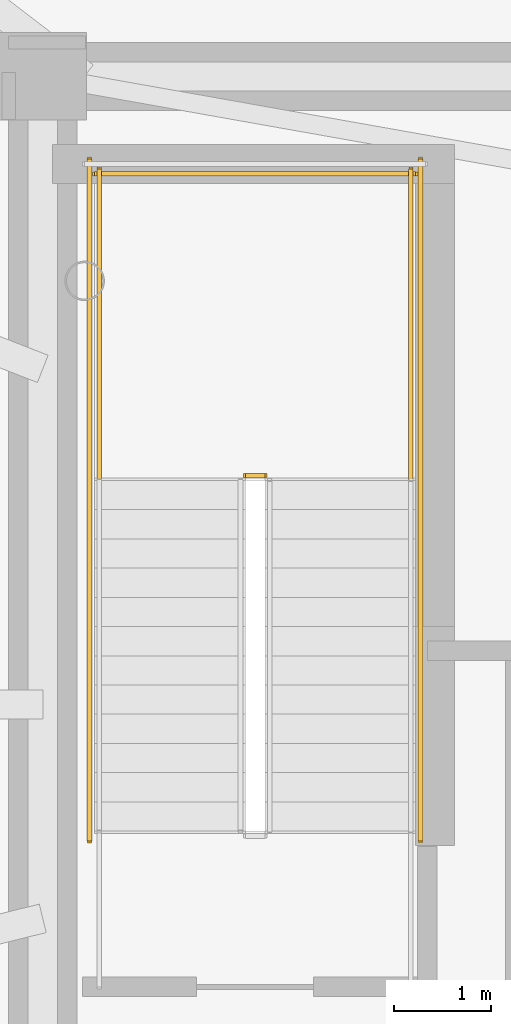
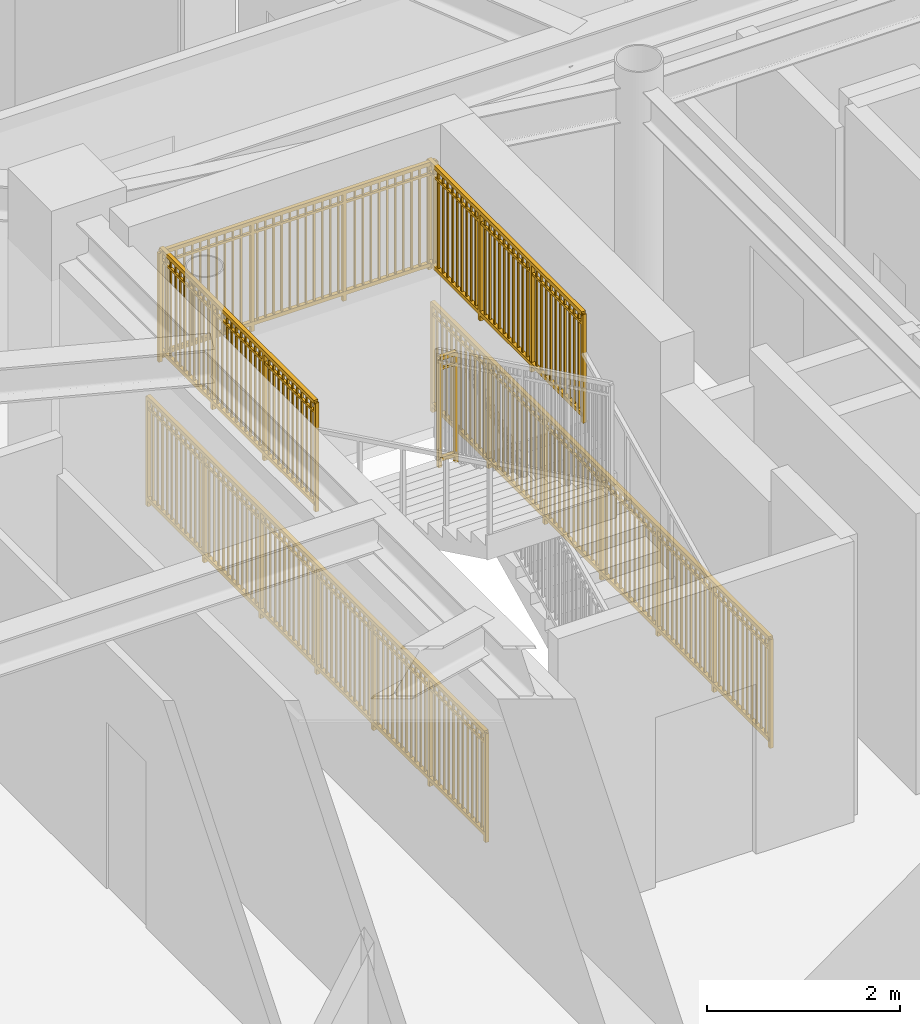
# One storey, part 15 of 17: 6 railings.
"""IFC4 building model written with IfcOpenShell, lengths in metres."""

from ifc_helpers import new_model, si_unit, direction, frame, origin, origin_2d, place, context, subcontext, project, spatial, rectangle, extrude, source, transform, mapped, material, type_object, element, save


model = new_model("IFC4")

# Units and contexts
model_context = context("Model", 3, precision=1e-05, world=origin(), true_north=direction((0.0, 1.0)))
body_context = subcontext(model_context, "Body", "Model", "MODEL_VIEW")
ifc_project = project(units=[si_unit("LENGTHUNIT", "METRE"), si_unit("AREAUNIT", "SQUARE_METRE"), si_unit("VOLUMEUNIT", "CUBIC_METRE"), si_unit("PLANEANGLEUNIT", "RADIAN"), si_unit("MASSUNIT", "GRAM", prefix="KILO")], contexts=[model_context])

# Site, building, storey
site_placement = place(None, origin())
site = spatial("IfcSite", under=ifc_project, at=site_placement, CompositionType="ELEMENT")
building_placement = place(site_placement, origin())
building = spatial("IfcBuilding", under=site, at=building_placement, Name="Linh Dai School and Residence Tower", CompositionType="ELEMENT")
storey_placement = place(building_placement, frame((0.0, 0.0, 327.800048828125)))
storey = spatial("IfcBuildingStorey", under=building, at=storey_placement, Name="L81", CompositionType="ELEMENT", Elevation=327.800048828125)

# Railings
ifc_material = material(Name="Structural Steel S355JR", Category="steel")
railing_type = type_object("IfcRailingType", Name="RL-ST-GUARD-1400", PredefinedType="GUARDRAIL", material=ifc_material)
shared_shape_1 = source(origin(), body_context, "Body", "SweptSolid", [
    extrude(rectangle(XDim=0.048095703125, YDim=0.048095703125, at=origin_2d()), frame((0.0, 0.0, 1.3759765625), z_axis=(-1.0, 0.0, 0.0), x_axis=(0.0, -1.0, 0.0)), (0.0, 0.0, 1.0), 0.199951171875),
    extrude(rectangle(XDim=0.048095703125, YDim=0.048095703125, at=origin_2d()), frame((0.0, 0.0, 0.10009765625), z_axis=(-1.0, 0.0, 0.0), x_axis=(0.0, -1.0, 0.0)), (0.0, 0.0, 1.0), 0.199951171875),
    extrude(rectangle(XDim=0.030029296875, YDim=0.030029296875, at=origin_2d()), frame((0.0, 0.0, 1.239990234375), z_axis=(-1.0, 0.0, 0.0), x_axis=(0.0, -1.0, 0.0)), (0.0, 0.0, 1.0), 0.199951171875),
    extrude(rectangle(XDim=0.0419921875, YDim=0.0419921875, at=origin_2d()), origin(), (0.0, 0.0, 1.0), 1.3759765625),
    extrude(rectangle(XDim=0.0419921875, YDim=0.0419921875, at=origin_2d()), frame((-0.199951171875, 0.0, 0.0)), (0.0, 0.0, 1.0), 1.3759765625),
])
railing_1_placement = place(storey_placement, frame((29.429931640625, 29.35009765625, 1.89990234375)))
element("IfcRailing", 1, at=railing_1_placement, inside=storey, type_object=railing_type, Name="L81 ST1 stair guard 2", PredefinedType="GUARDRAIL", context=body_context, shape_type="MappedRepresentation", body=[
    mapped(shared_shape_1, transform((0.0, 0.0, 0.0), x_axis=(1.0, 0.0, 0.0), y_axis=(0.0, 1.0, 0.0), z_axis=(0.0, 0.0, 1.0), scale=1.0)),
])
shared_shape_2 = source(origin(), body_context, "Body", "SweptSolid", [
    extrude(rectangle(XDim=0.048095703125, YDim=0.048095703125, at=origin_2d()), frame((0.0, 0.0, 1.3759765625), z_axis=(-1.0, 0.0, 0.0), x_axis=(0.0, -1.0, 0.0)), (0.0, 0.0, 1.0), 3.300048828125),
    extrude(rectangle(XDim=0.048095703125, YDim=0.048095703125, at=origin_2d()), frame((0.0, 0.0, 0.10009765625), z_axis=(-1.0, 0.0, 0.0), x_axis=(0.0, -1.0, 0.0)), (0.0, 0.0, 1.0), 3.300048828125),
    extrude(rectangle(XDim=0.030029296875, YDim=0.030029296875, at=origin_2d()), frame((0.0, 0.0, 1.239990234375), z_axis=(-1.0, 0.0, 0.0), x_axis=(0.0, -1.0, 0.0)), (0.0, 0.0, 1.0), 3.300048828125),
    extrude(rectangle(XDim=0.02001953125, YDim=0.02001953125, at=origin_2d()), frame((-0.09716796875, 0.0, 0.10009765625)), (0.0, 0.0, 1.0), 1.251708984375),
    extrude(rectangle(XDim=0.02001953125, YDim=0.02001953125, at=origin_2d()), frame((-0.194091796875, 0.0, 0.10009765625)), (0.0, 0.0, 1.0), 1.251708984375),
    extrude(rectangle(XDim=0.02001953125, YDim=0.02001953125, at=origin_2d()), frame((-0.291259765625, 0.0, 0.10009765625)), (0.0, 0.0, 1.0), 1.251708984375),
    extrude(rectangle(XDim=0.02001953125, YDim=0.02001953125, at=origin_2d()), frame((-0.38818359375, 0.0, 0.10009765625)), (0.0, 0.0, 1.0), 1.251708984375),
    extrude(rectangle(XDim=0.02001953125, YDim=0.02001953125, at=origin_2d()), frame((-0.4853515625, 0.0, 0.10009765625)), (0.0, 0.0, 1.0), 1.251708984375),
    extrude(rectangle(XDim=0.02001953125, YDim=0.02001953125, at=origin_2d()), frame((-0.582275390625, 0.0, 0.10009765625)), (0.0, 0.0, 1.0), 1.251708984375),
    extrude(rectangle(XDim=0.02001953125, YDim=0.02001953125, at=origin_2d()), frame((-0.679443359375, 0.0, 0.10009765625)), (0.0, 0.0, 1.0), 1.251708984375),
    extrude(rectangle(XDim=0.02001953125, YDim=0.02001953125, at=origin_2d()), frame((-0.7763671875, 0.0, 0.10009765625)), (0.0, 0.0, 1.0), 1.251708984375),
    extrude(rectangle(XDim=0.02001953125, YDim=0.02001953125, at=origin_2d()), frame((-0.87353515625, 0.0, 0.10009765625)), (0.0, 0.0, 1.0), 1.251708984375),
    extrude(rectangle(XDim=0.02001953125, YDim=0.02001953125, at=origin_2d()), frame((-0.970703125, 0.0, 0.10009765625)), (0.0, 0.0, 1.0), 1.251708984375),
    extrude(rectangle(XDim=0.02001953125, YDim=0.02001953125, at=origin_2d()), frame((-1.164794921875, 0.0, 0.10009765625)), (0.0, 0.0, 1.0), 1.251708984375),
    extrude(rectangle(XDim=0.02001953125, YDim=0.02001953125, at=origin_2d()), frame((-1.26171875, 0.0, 0.10009765625)), (0.0, 0.0, 1.0), 1.251708984375),
    extrude(rectangle(XDim=0.02001953125, YDim=0.02001953125, at=origin_2d()), frame((-1.35888671875, 0.0, 0.10009765625)), (0.0, 0.0, 1.0), 1.251708984375),
    extrude(rectangle(XDim=0.02001953125, YDim=0.02001953125, at=origin_2d()), frame((-1.455810546875, 0.0, 0.10009765625)), (0.0, 0.0, 1.0), 1.251708984375),
    extrude(rectangle(XDim=0.02001953125, YDim=0.02001953125, at=origin_2d()), frame((-1.552978515625, 0.0, 0.10009765625)), (0.0, 0.0, 1.0), 1.251708984375),
    extrude(rectangle(XDim=0.02001953125, YDim=0.02001953125, at=origin_2d()), frame((-1.64990234375, 0.0, 0.10009765625)), (0.0, 0.0, 1.0), 1.251708984375),
    extrude(rectangle(XDim=0.02001953125, YDim=0.02001953125, at=origin_2d()), frame((-1.7470703125, 0.0, 0.10009765625)), (0.0, 0.0, 1.0), 1.251708984375),
    extrude(rectangle(XDim=0.02001953125, YDim=0.02001953125, at=origin_2d()), frame((-1.84423828125, 0.0, 0.10009765625)), (0.0, 0.0, 1.0), 1.251708984375),
    extrude(rectangle(XDim=0.02001953125, YDim=0.02001953125, at=origin_2d()), frame((-1.941162109375, 0.0, 0.10009765625)), (0.0, 0.0, 1.0), 1.251708984375),
    extrude(rectangle(XDim=0.02001953125, YDim=0.02001953125, at=origin_2d()), frame((-2.038330078125, 0.0, 0.10009765625)), (0.0, 0.0, 1.0), 1.251708984375),
    extrude(rectangle(XDim=0.02001953125, YDim=0.02001953125, at=origin_2d()), frame((-2.13525390625, 0.0, 0.10009765625)), (0.0, 0.0, 1.0), 1.251708984375),
    extrude(rectangle(XDim=0.02001953125, YDim=0.02001953125, at=origin_2d()), frame((-2.329345703125, 0.0, 0.10009765625)), (0.0, 0.0, 1.0), 1.251708984375),
    extrude(rectangle(XDim=0.02001953125, YDim=0.02001953125, at=origin_2d()), frame((-2.426513671875, 0.0, 0.10009765625)), (0.0, 0.0, 1.0), 1.251708984375),
    extrude(rectangle(XDim=0.02001953125, YDim=0.02001953125, at=origin_2d()), frame((-2.523681640625, 0.0, 0.10009765625)), (0.0, 0.0, 1.0), 1.251708984375),
    extrude(rectangle(XDim=0.02001953125, YDim=0.02001953125, at=origin_2d()), frame((-2.62060546875, 0.0, 0.10009765625)), (0.0, 0.0, 1.0), 1.251708984375),
    extrude(rectangle(XDim=0.02001953125, YDim=0.02001953125, at=origin_2d()), frame((-2.7177734375, 0.0, 0.10009765625)), (0.0, 0.0, 1.0), 1.251708984375),
    extrude(rectangle(XDim=0.02001953125, YDim=0.02001953125, at=origin_2d()), frame((-2.814697265625, 0.0, 0.10009765625)), (0.0, 0.0, 1.0), 1.251708984375),
    extrude(rectangle(XDim=0.02001953125, YDim=0.02001953125, at=origin_2d()), frame((-2.911865234375, 0.0, 0.10009765625)), (0.0, 0.0, 1.0), 1.251708984375),
    extrude(rectangle(XDim=0.02001953125, YDim=0.02001953125, at=origin_2d()), frame((-3.0087890625, 0.0, 0.10009765625)), (0.0, 0.0, 1.0), 1.251708984375),
    extrude(rectangle(XDim=0.02001953125, YDim=0.02001953125, at=origin_2d()), frame((-3.10595703125, 0.0, 0.10009765625)), (0.0, 0.0, 1.0), 1.251708984375),
    extrude(rectangle(XDim=0.02001953125, YDim=0.02001953125, at=origin_2d()), frame((-3.202880859375, 0.0, 0.10009765625)), (0.0, 0.0, 1.0), 1.251708984375),
    extrude(rectangle(XDim=0.0419921875, YDim=0.0419921875, at=origin_2d()), origin(), (0.0, 0.0, 1.0), 1.3759765625),
    extrude(rectangle(XDim=0.0419921875, YDim=0.0419921875, at=origin_2d()), frame((-1.10009765625, 0.0, 0.0)), (0.0, 0.0, 1.0), 1.3759765625),
    extrude(rectangle(XDim=0.0419921875, YDim=0.0419921875, at=origin_2d()), frame((-2.199951171875, 0.0, 0.0)), (0.0, 0.0, 1.0), 1.3759765625),
    extrude(rectangle(XDim=0.0419921875, YDim=0.0419921875, at=origin_2d()), frame((-3.300048828125, 0.0, 0.0)), (0.0, 0.0, 1.0), 1.3759765625),
])
railing_2_placement = place(storey_placement, frame((30.97998046875, 32.449951171875, 1.89990234375)))
element("IfcRailing", 2, at=railing_2_placement, inside=storey, type_object=railing_type, Name="L81 ST1 stair guard 5", PredefinedType="GUARDRAIL", context=body_context, shape_type="MappedRepresentation", body=[
    mapped(shared_shape_2, transform((0.0, 0.0, 0.0), x_axis=(1.0, 0.0, 0.0), y_axis=(0.0, 1.0, 0.0), z_axis=(0.0, 0.0, 1.0), scale=1.0)),
])
shared_shape_3 = source(origin(), body_context, "Body", "SweptSolid", [
    extrude(rectangle(XDim=0.048095703125, YDim=0.048095703125, at=origin_2d()), frame((0.0, 0.0, 1.3759765625), z_axis=(0.0, 1.0, 0.0), x_axis=(-1.0, 0.0, 0.0)), (0.0, 0.0, 1.0), 7.0),
    extrude(rectangle(XDim=0.048095703125, YDim=0.048095703125, at=origin_2d()), frame((0.0, 0.0, 0.10009765625), z_axis=(0.0, 1.0, 0.0), x_axis=(-1.0, 0.0, 0.0)), (0.0, 0.0, 1.0), 7.0),
    extrude(rectangle(XDim=0.030029296875, YDim=0.030029296875, at=origin_2d()), frame((0.0, 0.0, 1.239990234375), z_axis=(0.0, 1.0, 0.0), x_axis=(-1.0, 0.0, 0.0)), (0.0, 0.0, 1.0), 7.0),
    extrude(rectangle(XDim=0.02001953125, YDim=0.02001953125, at=origin_2d()), frame((0.0, 0.09716796875, 0.10009765625)), (0.0, 0.0, 1.0), 1.251708984375),
    extrude(rectangle(XDim=0.02001953125, YDim=0.02001953125, at=origin_2d()), frame((0.0, 0.1943359375, 0.10009765625)), (0.0, 0.0, 1.0), 1.251708984375),
    extrude(rectangle(XDim=0.02001953125, YDim=0.02001953125, at=origin_2d()), frame((0.0, 0.291748046875, 0.10009765625)), (0.0, 0.0, 1.0), 1.251708984375),
    extrude(rectangle(XDim=0.02001953125, YDim=0.02001953125, at=origin_2d()), frame((0.0, 0.388916015625, 0.10009765625)), (0.0, 0.0, 1.0), 1.251708984375),
    extrude(rectangle(XDim=0.02001953125, YDim=0.02001953125, at=origin_2d()), frame((0.0, 0.486083984375, 0.10009765625)), (0.0, 0.0, 1.0), 1.251708984375),
    extrude(rectangle(XDim=0.02001953125, YDim=0.02001953125, at=origin_2d()), frame((0.0, 0.583251953125, 0.10009765625)), (0.0, 0.0, 1.0), 1.251708984375),
    extrude(rectangle(XDim=0.02001953125, YDim=0.02001953125, at=origin_2d()), frame((0.0, 0.6806640625, 0.10009765625)), (0.0, 0.0, 1.0), 1.251708984375),
    extrude(rectangle(XDim=0.02001953125, YDim=0.02001953125, at=origin_2d()), frame((0.0, 0.77783203125, 0.10009765625)), (0.0, 0.0, 1.0), 1.251708984375),
    extrude(rectangle(XDim=0.02001953125, YDim=0.02001953125, at=origin_2d()), frame((0.0, 0.875, 0.10009765625)), (0.0, 0.0, 1.0), 1.251708984375),
    extrude(rectangle(XDim=0.02001953125, YDim=0.02001953125, at=origin_2d()), frame((0.0, 0.97216796875, 0.10009765625)), (0.0, 0.0, 1.0), 1.251708984375),
    extrude(rectangle(XDim=0.02001953125, YDim=0.02001953125, at=origin_2d()), frame((0.0, 1.0693359375, 0.10009765625)), (0.0, 0.0, 1.0), 1.251708984375),
    extrude(rectangle(XDim=0.02001953125, YDim=0.02001953125, at=origin_2d()), frame((0.0, 1.263916015625, 0.10009765625)), (0.0, 0.0, 1.0), 1.251708984375),
    extrude(rectangle(XDim=0.02001953125, YDim=0.02001953125, at=origin_2d()), frame((0.0, 1.361083984375, 0.10009765625)), (0.0, 0.0, 1.0), 1.251708984375),
    extrude(rectangle(XDim=0.02001953125, YDim=0.02001953125, at=origin_2d()), frame((0.0, 1.458251953125, 0.10009765625)), (0.0, 0.0, 1.0), 1.251708984375),
    extrude(rectangle(XDim=0.02001953125, YDim=0.02001953125, at=origin_2d()), frame((0.0, 1.5556640625, 0.10009765625)), (0.0, 0.0, 1.0), 1.251708984375),
    extrude(rectangle(XDim=0.02001953125, YDim=0.02001953125, at=origin_2d()), frame((0.0, 1.65283203125, 0.10009765625)), (0.0, 0.0, 1.0), 1.251708984375),
    extrude(rectangle(XDim=0.02001953125, YDim=0.02001953125, at=origin_2d()), frame((0.0, 1.75, 0.10009765625)), (0.0, 0.0, 1.0), 1.251708984375),
    extrude(rectangle(XDim=0.02001953125, YDim=0.02001953125, at=origin_2d()), frame((0.0, 1.84716796875, 0.10009765625)), (0.0, 0.0, 1.0), 1.251708984375),
    extrude(rectangle(XDim=0.02001953125, YDim=0.02001953125, at=origin_2d()), frame((0.0, 1.9443359375, 0.10009765625)), (0.0, 0.0, 1.0), 1.251708984375),
    extrude(rectangle(XDim=0.02001953125, YDim=0.02001953125, at=origin_2d()), frame((0.0, 2.041748046875, 0.10009765625)), (0.0, 0.0, 1.0), 1.251708984375),
    extrude(rectangle(XDim=0.02001953125, YDim=0.02001953125, at=origin_2d()), frame((0.0, 2.138916015625, 0.10009765625)), (0.0, 0.0, 1.0), 1.251708984375),
    extrude(rectangle(XDim=0.02001953125, YDim=0.02001953125, at=origin_2d()), frame((0.0, 2.236083984375, 0.10009765625)), (0.0, 0.0, 1.0), 1.251708984375),
    extrude(rectangle(XDim=0.02001953125, YDim=0.02001953125, at=origin_2d()), frame((0.0, 2.4306640625, 0.10009765625)), (0.0, 0.0, 1.0), 1.251708984375),
    extrude(rectangle(XDim=0.02001953125, YDim=0.02001953125, at=origin_2d()), frame((0.0, 2.52783203125, 0.10009765625)), (0.0, 0.0, 1.0), 1.251708984375),
    extrude(rectangle(XDim=0.02001953125, YDim=0.02001953125, at=origin_2d()), frame((0.0, 2.625, 0.10009765625)), (0.0, 0.0, 1.0), 1.251708984375),
    extrude(rectangle(XDim=0.02001953125, YDim=0.02001953125, at=origin_2d()), frame((0.0, 2.72216796875, 0.10009765625)), (0.0, 0.0, 1.0), 1.251708984375),
    extrude(rectangle(XDim=0.02001953125, YDim=0.02001953125, at=origin_2d()), frame((0.0, 2.8193359375, 0.10009765625)), (0.0, 0.0, 1.0), 1.251708984375),
    extrude(rectangle(XDim=0.02001953125, YDim=0.02001953125, at=origin_2d()), frame((0.0, 2.916748046875, 0.10009765625)), (0.0, 0.0, 1.0), 1.251708984375),
    extrude(rectangle(XDim=0.02001953125, YDim=0.02001953125, at=origin_2d()), frame((0.0, 3.013916015625, 0.10009765625)), (0.0, 0.0, 1.0), 1.251708984375),
    extrude(rectangle(XDim=0.02001953125, YDim=0.02001953125, at=origin_2d()), frame((0.0, 3.111083984375, 0.10009765625)), (0.0, 0.0, 1.0), 1.251708984375),
    extrude(rectangle(XDim=0.02001953125, YDim=0.02001953125, at=origin_2d()), frame((0.0, 3.208251953125, 0.10009765625)), (0.0, 0.0, 1.0), 1.251708984375),
    extrude(rectangle(XDim=0.02001953125, YDim=0.02001953125, at=origin_2d()), frame((0.0, 3.3056640625, 0.10009765625)), (0.0, 0.0, 1.0), 1.251708984375),
    extrude(rectangle(XDim=0.02001953125, YDim=0.02001953125, at=origin_2d()), frame((0.0, 3.40283203125, 0.10009765625)), (0.0, 0.0, 1.0), 1.251708984375),
    extrude(rectangle(XDim=0.02001953125, YDim=0.02001953125, at=origin_2d()), frame((0.0, 3.59716796875, 0.10009765625)), (0.0, 0.0, 1.0), 1.251708984375),
    extrude(rectangle(XDim=0.02001953125, YDim=0.02001953125, at=origin_2d()), frame((0.0, 3.6943359375, 0.10009765625)), (0.0, 0.0, 1.0), 1.251708984375),
    extrude(rectangle(XDim=0.02001953125, YDim=0.02001953125, at=origin_2d()), frame((0.0, 3.791748046875, 0.10009765625)), (0.0, 0.0, 1.0), 1.251708984375),
    extrude(rectangle(XDim=0.02001953125, YDim=0.02001953125, at=origin_2d()), frame((0.0, 3.888916015625, 0.10009765625)), (0.0, 0.0, 1.0), 1.251708984375),
    extrude(rectangle(XDim=0.02001953125, YDim=0.02001953125, at=origin_2d()), frame((0.0, 3.986083984375, 0.10009765625)), (0.0, 0.0, 1.0), 1.251708984375),
    extrude(rectangle(XDim=0.02001953125, YDim=0.02001953125, at=origin_2d()), frame((0.0, 4.083251953125, 0.10009765625)), (0.0, 0.0, 1.0), 1.251708984375),
    extrude(rectangle(XDim=0.02001953125, YDim=0.02001953125, at=origin_2d()), frame((0.0, 4.1806640625, 0.10009765625)), (0.0, 0.0, 1.0), 1.251708984375),
    extrude(rectangle(XDim=0.02001953125, YDim=0.02001953125, at=origin_2d()), frame((0.0, 4.27783203125, 0.10009765625)), (0.0, 0.0, 1.0), 1.251708984375),
    extrude(rectangle(XDim=0.02001953125, YDim=0.02001953125, at=origin_2d()), frame((0.0, 4.375, 0.10009765625)), (0.0, 0.0, 1.0), 1.251708984375),
    extrude(rectangle(XDim=0.02001953125, YDim=0.02001953125, at=origin_2d()), frame((0.0, 4.47216796875, 0.10009765625)), (0.0, 0.0, 1.0), 1.251708984375),
    extrude(rectangle(XDim=0.02001953125, YDim=0.02001953125, at=origin_2d()), frame((0.0, 4.5693359375, 0.10009765625)), (0.0, 0.0, 1.0), 1.251708984375),
    extrude(rectangle(XDim=0.02001953125, YDim=0.02001953125, at=origin_2d()), frame((0.0, 4.763916015625, 0.10009765625)), (0.0, 0.0, 1.0), 1.251708984375),
    extrude(rectangle(XDim=0.02001953125, YDim=0.02001953125, at=origin_2d()), frame((0.0, 4.861083984375, 0.10009765625)), (0.0, 0.0, 1.0), 1.251708984375),
    extrude(rectangle(XDim=0.02001953125, YDim=0.02001953125, at=origin_2d()), frame((0.0, 4.958251953125, 0.10009765625)), (0.0, 0.0, 1.0), 1.251708984375),
    extrude(rectangle(XDim=0.02001953125, YDim=0.02001953125, at=origin_2d()), frame((0.0, 5.0556640625, 0.10009765625)), (0.0, 0.0, 1.0), 1.251708984375),
    extrude(rectangle(XDim=0.02001953125, YDim=0.02001953125, at=origin_2d()), frame((0.0, 5.15283203125, 0.10009765625)), (0.0, 0.0, 1.0), 1.251708984375),
    extrude(rectangle(XDim=0.02001953125, YDim=0.02001953125, at=origin_2d()), frame((0.0, 5.25, 0.10009765625)), (0.0, 0.0, 1.0), 1.251708984375),
    extrude(rectangle(XDim=0.02001953125, YDim=0.02001953125, at=origin_2d()), frame((0.0, 5.34716796875, 0.10009765625)), (0.0, 0.0, 1.0), 1.251708984375),
    extrude(rectangle(XDim=0.02001953125, YDim=0.02001953125, at=origin_2d()), frame((0.0, 5.4443359375, 0.10009765625)), (0.0, 0.0, 1.0), 1.251708984375),
    extrude(rectangle(XDim=0.02001953125, YDim=0.02001953125, at=origin_2d()), frame((0.0, 5.541748046875, 0.10009765625)), (0.0, 0.0, 1.0), 1.251708984375),
    extrude(rectangle(XDim=0.02001953125, YDim=0.02001953125, at=origin_2d()), frame((0.0, 5.638916015625, 0.10009765625)), (0.0, 0.0, 1.0), 1.251708984375),
    extrude(rectangle(XDim=0.02001953125, YDim=0.02001953125, at=origin_2d()), frame((0.0, 5.736083984375, 0.10009765625)), (0.0, 0.0, 1.0), 1.251708984375),
    extrude(rectangle(XDim=0.02001953125, YDim=0.02001953125, at=origin_2d()), frame((0.0, 5.9306640625, 0.10009765625)), (0.0, 0.0, 1.0), 1.251708984375),
    extrude(rectangle(XDim=0.02001953125, YDim=0.02001953125, at=origin_2d()), frame((0.0, 6.02783203125, 0.10009765625)), (0.0, 0.0, 1.0), 1.251708984375),
    extrude(rectangle(XDim=0.02001953125, YDim=0.02001953125, at=origin_2d()), frame((0.0, 6.125, 0.10009765625)), (0.0, 0.0, 1.0), 1.251708984375),
    extrude(rectangle(XDim=0.02001953125, YDim=0.02001953125, at=origin_2d()), frame((0.0, 6.22216796875, 0.10009765625)), (0.0, 0.0, 1.0), 1.251708984375),
    extrude(rectangle(XDim=0.02001953125, YDim=0.02001953125, at=origin_2d()), frame((0.0, 6.3193359375, 0.10009765625)), (0.0, 0.0, 1.0), 1.251708984375),
    extrude(rectangle(XDim=0.02001953125, YDim=0.02001953125, at=origin_2d()), frame((0.0, 6.416748046875, 0.10009765625)), (0.0, 0.0, 1.0), 1.251708984375),
    extrude(rectangle(XDim=0.02001953125, YDim=0.02001953125, at=origin_2d()), frame((0.0, 6.513916015625, 0.10009765625)), (0.0, 0.0, 1.0), 1.251708984375),
    extrude(rectangle(XDim=0.02001953125, YDim=0.02001953125, at=origin_2d()), frame((0.0, 6.611083984375, 0.10009765625)), (0.0, 0.0, 1.0), 1.251708984375),
    extrude(rectangle(XDim=0.02001953125, YDim=0.02001953125, at=origin_2d()), frame((0.0, 6.708251953125, 0.10009765625)), (0.0, 0.0, 1.0), 1.251708984375),
    extrude(rectangle(XDim=0.02001953125, YDim=0.02001953125, at=origin_2d()), frame((0.0, 6.8056640625, 0.10009765625)), (0.0, 0.0, 1.0), 1.251708984375),
    extrude(rectangle(XDim=0.02001953125, YDim=0.02001953125, at=origin_2d()), frame((0.0, 6.90283203125, 0.10009765625)), (0.0, 0.0, 1.0), 1.251708984375),
    extrude(rectangle(XDim=0.0419921875, YDim=0.0419921875, at=origin_2d()), origin(), (0.0, 0.0, 1.0), 1.3759765625),
    extrude(rectangle(XDim=0.0419921875, YDim=0.0419921875, at=origin_2d()), frame((0.0, 1.166748046875, 0.0)), (0.0, 0.0, 1.0), 1.3759765625),
    extrude(rectangle(XDim=0.0419921875, YDim=0.0419921875, at=origin_2d()), frame((0.0, 2.333251953125, 0.0)), (0.0, 0.0, 1.0), 1.3759765625),
    extrude(rectangle(XDim=0.0419921875, YDim=0.0419921875, at=origin_2d()), frame((0.0, 3.5, 0.0)), (0.0, 0.0, 1.0), 1.3759765625),
    extrude(rectangle(XDim=0.0419921875, YDim=0.0419921875, at=origin_2d()), frame((0.0, 4.666748046875, 0.0)), (0.0, 0.0, 1.0), 1.3759765625),
    extrude(rectangle(XDim=0.0419921875, YDim=0.0419921875, at=origin_2d()), frame((0.0, 5.833251953125, 0.0)), (0.0, 0.0, 1.0), 1.3759765625),
    extrude(rectangle(XDim=0.0419921875, YDim=0.0419921875, at=origin_2d()), frame((0.0, 7.0, 0.0)), (0.0, 0.0, 1.0), 1.3759765625),
])
for number, where, name in (
    (3, (31.030029296875, 25.60009765625, 0.0), "L81 ST1 stair guard 10"),
    (4, (27.6298828125, 25.60009765625, 0.0), "L81 ST1 stair guard 11"),
):
    element("IfcRailing", number, at=place(storey_placement, frame(where)), inside=storey, type_object=railing_type, Name=name, PredefinedType="GUARDRAIL", context=body_context, shape_type="MappedRepresentation", body=[
        mapped(shared_shape_3, transform((0.0, 0.0, 0.0), x_axis=(1.0, 0.0, 0.0), y_axis=(0.0, 1.0, 0.0), z_axis=(0.0, 0.0, 1.0), scale=1.0)),
    ])
shared_shape_4 = source(origin(), body_context, "Body", "SweptSolid", [
    extrude(rectangle(XDim=0.048095703125, YDim=0.048095703125, at=origin_2d()), frame((0.0, 0.0, 1.3759765625), z_axis=(0.0, 1.0, 0.0), x_axis=(-1.0, 0.0, 0.0)), (0.0, 0.0, 1.0), 3.199951171875),
    extrude(rectangle(XDim=0.048095703125, YDim=0.048095703125, at=origin_2d()), frame((0.0, 0.0, 0.10009765625), z_axis=(0.0, 1.0, 0.0), x_axis=(-1.0, 0.0, 0.0)), (0.0, 0.0, 1.0), 3.199951171875),
    extrude(rectangle(XDim=0.030029296875, YDim=0.030029296875, at=origin_2d()), frame((0.0, 0.0, 1.239990234375), z_axis=(0.0, 1.0, 0.0), x_axis=(-1.0, 0.0, 0.0)), (0.0, 0.0, 1.0), 3.199951171875),
    extrude(rectangle(XDim=0.02001953125, YDim=0.02001953125, at=origin_2d()), frame((0.0, 0.096923828125, 0.10009765625)), (0.0, 0.0, 1.0), 1.251708984375),
    extrude(rectangle(XDim=0.02001953125, YDim=0.02001953125, at=origin_2d()), frame((0.0, 0.19384765625, 0.10009765625)), (0.0, 0.0, 1.0), 1.251708984375),
    extrude(rectangle(XDim=0.02001953125, YDim=0.02001953125, at=origin_2d()), frame((0.0, 0.291015625, 0.10009765625)), (0.0, 0.0, 1.0), 1.251708984375),
    extrude(rectangle(XDim=0.02001953125, YDim=0.02001953125, at=origin_2d()), frame((0.0, 0.387939453125, 0.10009765625)), (0.0, 0.0, 1.0), 1.251708984375),
    extrude(rectangle(XDim=0.02001953125, YDim=0.02001953125, at=origin_2d()), frame((0.0, 0.48486328125, 0.10009765625)), (0.0, 0.0, 1.0), 1.251708984375),
    extrude(rectangle(XDim=0.02001953125, YDim=0.02001953125, at=origin_2d()), frame((0.0, 0.581787109375, 0.10009765625)), (0.0, 0.0, 1.0), 1.251708984375),
    extrude(rectangle(XDim=0.02001953125, YDim=0.02001953125, at=origin_2d()), frame((0.0, 0.6787109375, 0.10009765625)), (0.0, 0.0, 1.0), 1.251708984375),
    extrude(rectangle(XDim=0.02001953125, YDim=0.02001953125, at=origin_2d()), frame((0.0, 0.775634765625, 0.10009765625)), (0.0, 0.0, 1.0), 1.251708984375),
    extrude(rectangle(XDim=0.02001953125, YDim=0.02001953125, at=origin_2d()), frame((0.0, 0.872802734375, 0.10009765625)), (0.0, 0.0, 1.0), 1.251708984375),
    extrude(rectangle(XDim=0.02001953125, YDim=0.02001953125, at=origin_2d()), frame((0.0, 0.9697265625, 0.10009765625)), (0.0, 0.0, 1.0), 1.251708984375),
    extrude(rectangle(XDim=0.02001953125, YDim=0.02001953125, at=origin_2d()), frame((0.0, 1.16357421875, 0.10009765625)), (0.0, 0.0, 1.0), 1.251708984375),
    extrude(rectangle(XDim=0.02001953125, YDim=0.02001953125, at=origin_2d()), frame((0.0, 1.260498046875, 0.10009765625)), (0.0, 0.0, 1.0), 1.251708984375),
    extrude(rectangle(XDim=0.02001953125, YDim=0.02001953125, at=origin_2d()), frame((0.0, 1.357666015625, 0.10009765625)), (0.0, 0.0, 1.0), 1.251708984375),
    extrude(rectangle(XDim=0.02001953125, YDim=0.02001953125, at=origin_2d()), frame((0.0, 1.45458984375, 0.10009765625)), (0.0, 0.0, 1.0), 1.251708984375),
    extrude(rectangle(XDim=0.02001953125, YDim=0.02001953125, at=origin_2d()), frame((0.0, 1.551513671875, 0.10009765625)), (0.0, 0.0, 1.0), 1.251708984375),
    extrude(rectangle(XDim=0.02001953125, YDim=0.02001953125, at=origin_2d()), frame((0.0, 1.6484375, 0.10009765625)), (0.0, 0.0, 1.0), 1.251708984375),
    extrude(rectangle(XDim=0.02001953125, YDim=0.02001953125, at=origin_2d()), frame((0.0, 1.745361328125, 0.10009765625)), (0.0, 0.0, 1.0), 1.251708984375),
    extrude(rectangle(XDim=0.02001953125, YDim=0.02001953125, at=origin_2d()), frame((0.0, 1.84228515625, 0.10009765625)), (0.0, 0.0, 1.0), 1.251708984375),
    extrude(rectangle(XDim=0.02001953125, YDim=0.02001953125, at=origin_2d()), frame((0.0, 1.939453125, 0.10009765625)), (0.0, 0.0, 1.0), 1.251708984375),
    extrude(rectangle(XDim=0.02001953125, YDim=0.02001953125, at=origin_2d()), frame((0.0, 2.036376953125, 0.10009765625)), (0.0, 0.0, 1.0), 1.251708984375),
    extrude(rectangle(XDim=0.02001953125, YDim=0.02001953125, at=origin_2d()), frame((0.0, 2.230224609375, 0.10009765625)), (0.0, 0.0, 1.0), 1.251708984375),
    extrude(rectangle(XDim=0.02001953125, YDim=0.02001953125, at=origin_2d()), frame((0.0, 2.3271484375, 0.10009765625)), (0.0, 0.0, 1.0), 1.251708984375),
    extrude(rectangle(XDim=0.02001953125, YDim=0.02001953125, at=origin_2d()), frame((0.0, 2.42431640625, 0.10009765625)), (0.0, 0.0, 1.0), 1.251708984375),
    extrude(rectangle(XDim=0.02001953125, YDim=0.02001953125, at=origin_2d()), frame((0.0, 2.521240234375, 0.10009765625)), (0.0, 0.0, 1.0), 1.251708984375),
    extrude(rectangle(XDim=0.02001953125, YDim=0.02001953125, at=origin_2d()), frame((0.0, 2.6181640625, 0.10009765625)), (0.0, 0.0, 1.0), 1.251708984375),
    extrude(rectangle(XDim=0.02001953125, YDim=0.02001953125, at=origin_2d()), frame((0.0, 2.715087890625, 0.10009765625)), (0.0, 0.0, 1.0), 1.251708984375),
    extrude(rectangle(XDim=0.02001953125, YDim=0.02001953125, at=origin_2d()), frame((0.0, 2.81201171875, 0.10009765625)), (0.0, 0.0, 1.0), 1.251708984375),
    extrude(rectangle(XDim=0.02001953125, YDim=0.02001953125, at=origin_2d()), frame((0.0, 2.908935546875, 0.10009765625)), (0.0, 0.0, 1.0), 1.251708984375),
    extrude(rectangle(XDim=0.02001953125, YDim=0.02001953125, at=origin_2d()), frame((0.0, 3.006103515625, 0.10009765625)), (0.0, 0.0, 1.0), 1.251708984375),
    extrude(rectangle(XDim=0.02001953125, YDim=0.02001953125, at=origin_2d()), frame((0.0, 3.10302734375, 0.10009765625)), (0.0, 0.0, 1.0), 1.251708984375),
    extrude(rectangle(XDim=0.0419921875, YDim=0.0419921875, at=origin_2d()), origin(), (0.0, 0.0, 1.0), 1.3759765625),
    extrude(rectangle(XDim=0.0419921875, YDim=0.0419921875, at=origin_2d()), frame((0.0, 1.066650390625, 0.0)), (0.0, 0.0, 1.0), 1.3759765625),
    extrude(rectangle(XDim=0.0419921875, YDim=0.0419921875, at=origin_2d()), frame((0.0, 2.13330078125, 0.0)), (0.0, 0.0, 1.0), 1.3759765625),
    extrude(rectangle(XDim=0.0419921875, YDim=0.0419921875, at=origin_2d()), frame((0.0, 3.199951171875, 0.0)), (0.0, 0.0, 1.0), 1.3759765625),
])
for number, where, name in (
    (5, (30.929931640625, 29.300048828125, 1.89990234375), "L81 ST1 stair guard 3"),
    (6, (27.72998046875, 29.300048828125, 1.89990234375), "L81 ST1 stair guard 4"),
):
    element("IfcRailing", number, at=place(storey_placement, frame(where)), inside=storey, type_object=railing_type, Name=name, PredefinedType="GUARDRAIL", context=body_context, shape_type="MappedRepresentation", body=[
        mapped(shared_shape_4, transform((0.0, 0.0, 0.0), x_axis=(1.0, 0.0, 0.0), y_axis=(0.0, 1.0, 0.0), z_axis=(0.0, 0.0, 1.0), scale=1.0)),
    ])

save(model, "model.ifc")
